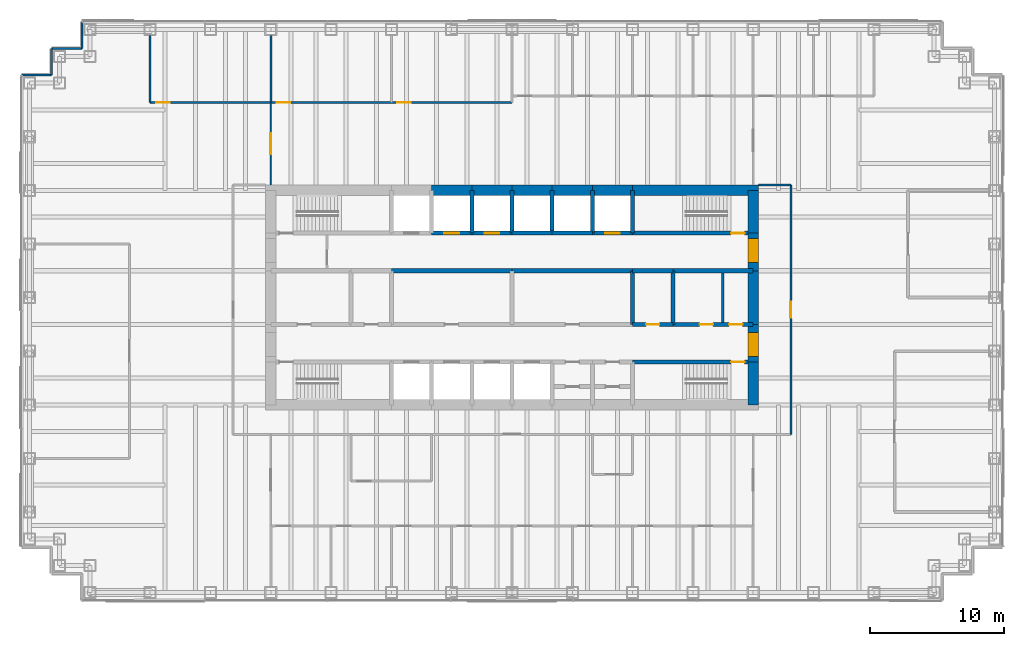
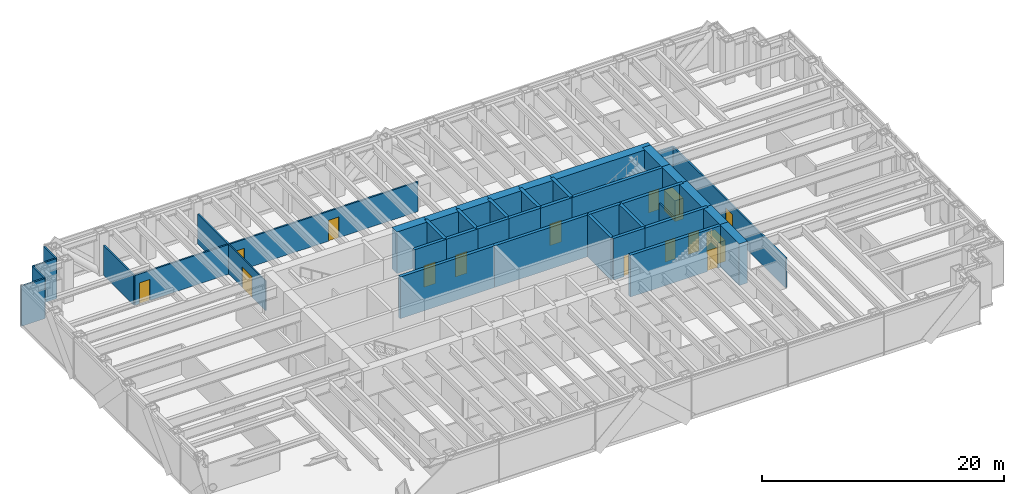
# One storey, part 12 of 14: 42 walls, 15 doors, 15 openings.
"""IFC4 building model written with IfcOpenShell, lengths in metres."""

from ifc_helpers import new_model, si_unit, direction, frame, frame_2d, origin, place, context, subcontext, project, spatial, rectangle, extrude, material, layer, layer_set, type_object, element, fill, save


model = new_model("IFC4")

# Units and contexts
model_context = context("Model", 3, precision=1e-05, world=origin(), true_north=direction((0.0, 1.0)))
body_context = subcontext(model_context, "Body", "Model", "MODEL_VIEW")
ifc_project = project(units=[si_unit("LENGTHUNIT", "METRE"), si_unit("AREAUNIT", "SQUARE_METRE"), si_unit("VOLUMEUNIT", "CUBIC_METRE"), si_unit("PLANEANGLEUNIT", "RADIAN"), si_unit("MASSUNIT", "GRAM", prefix="KILO")], contexts=[model_context])

# Site, building, storey
site_placement = place(None, origin())
site = spatial("IfcSite", under=ifc_project, at=site_placement, CompositionType="ELEMENT")
building_placement = place(site_placement, origin())
building = spatial("IfcBuilding", under=site, at=building_placement, Name="Rheinbord Bourse Tower", CompositionType="ELEMENT")
storey_placement = place(building_placement, frame((0.0, 0.0, 211.0)))
storey = spatial("IfcBuildingStorey", under=building, at=storey_placement, Name="L47", CompositionType="ELEMENT", Elevation=211.0)

# Wall, opening, door
ifc_material_1 = material(Name="Concrete C50/60", Category="concrete")
ifc_layer_1 = layer(ifc_material_1, 0.300048828125)
ifc_layer_set_1 = layer_set([ifc_layer_1], Name="CORE INNER WALL 300")
wall_type_1 = type_object("IfcWallType", Name="CORE INNER WALL 300", PredefinedType="SOLIDWALL", material=ifc_layer_set_1)
wall_1_placement = place(storey_placement, frame((45.0, 19.199951171875, 0.0), z_axis=(0.0, 0.0, 1.0), x_axis=(1.0, 0.0, 0.0)))
wall_1 = element("IfcWall", 1, at=wall_1_placement, inside=storey, type_object=wall_type_1, Name="Core wall A8 L47", PredefinedType="SOLIDWALL", context=body_context, shape_type="SweptSolid", body=[
    extrude(rectangle(XDim=9.0, YDim=0.300048828125, at=frame_2d((4.5, 0.0))), origin(), (0.0, 0.0, 1.0), 4.199951171875),
])
opening_1_placement = place(wall_1_placement, frame((7.35009765625, 0.0, 0.0)))
opening_1 = element("IfcOpeningElement", 2, at=opening_1_placement, cuts=wall_1, Name="Opening 4730", PredefinedType="OPENING", context=body_context, shape_type="SweptSolid", body=[
    extrude(rectangle(XDim=1.0, YDim=2.10009765625, at=frame_2d((0.5, 1.050048828125))), frame((0.0, 0.159912109375, 0.0), z_axis=(0.0, -1.0, 0.0), x_axis=(1.0, 0.0, 0.0)), (0.0, 0.0, 1.0), 0.320068359375),
])
ifc_material_2 = material(Name="Steel door", Category="steel")
door_type_1 = type_object("IfcDoorType", Name="DOOR 1000 EI30", OperationType="SINGLE_SWING_LEFT", PredefinedType="DOOR", material=ifc_material_2)
door_1_placement = place(opening_1_placement, origin())
door_1 = element("IfcDoor", 3, at=door_1_placement, inside=storey, type_object=door_type_1, Name="Stair door ST3 L47", OperationType="SINGLE_SWING_RIGHT", OverallHeight=2.10009765625, OverallWidth=1.0, PredefinedType="DOOR", context=body_context, shape_type="SweptSolid", body=[
    extrude(rectangle(XDim=1.0, YDim=2.10009765625, at=frame_2d((0.5, 1.050048828125))), frame((0.0, 0.02490234375, 0.0), z_axis=(0.0, -1.0, 0.0), x_axis=(1.0, 0.0, 0.0)), (0.0, 0.0, 1.0), 0.050048828125),
])
fill(opening_1, door_1)

wall_2_placement = place(storey_placement, frame((30.0, 28.800048828125, 0.0), z_axis=(0.0, 0.0, 1.0), x_axis=(1.0, 0.0, 0.0)))
wall_2 = element("IfcWall", 4, at=wall_2_placement, inside=storey, type_object=wall_type_1, Name="Core wall B3 L47", PredefinedType="SOLIDWALL", context=body_context, shape_type="SweptSolid", body=[
    extrude(rectangle(XDim=3.0, YDim=0.300048828125, at=frame_2d((1.5, 0.0))), origin(), (0.0, 0.0, 1.0), 4.199951171875),
])
opening_2_placement = place(wall_2_placement, frame((0.949951171875, 0.0, 0.0)))
opening_2 = element("IfcOpeningElement", 5, at=opening_2_placement, cuts=wall_2, Name="Opening PC4", PredefinedType="OPENING", context=body_context, shape_type="SweptSolid", body=[
    extrude(rectangle(XDim=1.10009765625, YDim=2.199951171875, at=frame_2d((0.550048828125, 1.10009765625))), frame((0.0, 0.159912109375, 0.0), z_axis=(0.0, -1.0, 0.0), x_axis=(1.0, 0.0, 0.0)), (0.0, 0.0, 1.0), 0.320068359375),
])
ifc_material_3 = material(Name="Steel landing door", Category="steel")
door_type_2 = type_object("IfcDoorType", Name="LIFT LANDING DOOR 1100", OperationType="DOUBLE_DOOR_SLIDING", PredefinedType="USERDEFINED", material=ifc_material_3)
door_2_placement = place(opening_2_placement, origin())
door_2 = element("IfcDoor", 6, at=door_2_placement, inside=storey, type_object=door_type_2, Name="Lift landing door PC4 L47", ObjectType="LIFT LANDING DOOR", OperationType="DOUBLE_DOOR_SLIDING", OverallHeight=2.199951171875, OverallWidth=1.10009765625, PredefinedType="USERDEFINED", context=body_context, shape_type="SweptSolid", body=[
    extrude(rectangle(XDim=1.10009765625, YDim=2.199951171875, at=frame_2d((0.550048828125, 1.10009765625))), frame((0.0, 0.02490234375, 0.0), z_axis=(0.0, -1.0, 0.0), x_axis=(1.0, 0.0, 0.0)), (0.0, 0.0, 1.0), 0.050048828125),
])
fill(opening_2, door_2)

wall_3_placement = place(storey_placement, frame((33.0, 28.800048828125, 0.0), z_axis=(0.0, 0.0, 1.0), x_axis=(1.0, 0.0, 0.0)))
wall_3 = element("IfcWall", 7, at=wall_3_placement, inside=storey, type_object=wall_type_1, Name="Core wall B4 L47", PredefinedType="SOLIDWALL", context=body_context, shape_type="SweptSolid", body=[
    extrude(rectangle(XDim=3.0, YDim=0.300048828125, at=frame_2d((1.5, 0.0))), origin(), (0.0, 0.0, 1.0), 4.199951171875),
])
opening_3_placement = place(wall_3_placement, frame((0.949951171875, 0.0, 0.0)))
opening_3 = element("IfcOpeningElement", 8, at=opening_3_placement, cuts=wall_3, Name="Opening PC5", PredefinedType="OPENING", context=body_context, shape_type="SweptSolid", body=[
    extrude(rectangle(XDim=1.10009765625, YDim=2.199951171875, at=frame_2d((0.550048828125, 1.10009765625))), frame((0.0, 0.159912109375, 0.0), z_axis=(0.0, -1.0, 0.0), x_axis=(1.0, 0.0, 0.0)), (0.0, 0.0, 1.0), 0.320068359375),
])
door_3_placement = place(opening_3_placement, origin())
door_3 = element("IfcDoor", 9, at=door_3_placement, inside=storey, type_object=door_type_2, Name="Lift landing door PC5 L47", ObjectType="LIFT LANDING DOOR", OperationType="DOUBLE_DOOR_SLIDING", OverallHeight=2.199951171875, OverallWidth=1.10009765625, PredefinedType="USERDEFINED", context=body_context, shape_type="SweptSolid", body=[
    extrude(rectangle(XDim=1.10009765625, YDim=2.199951171875, at=frame_2d((0.550048828125, 1.10009765625))), frame((0.0, 0.02490234375, 0.0), z_axis=(0.0, -1.0, 0.0), x_axis=(1.0, 0.0, 0.0)), (0.0, 0.0, 1.0), 0.050048828125),
])
fill(opening_3, door_3)

# Walls
for number, where, z_axis, x_axis, name in (
    (10, (36.0, 28.800048828125, 0.0), (0.0, 0.0, 1.0), (1.0, 0.0, 0.0), "Core wall B5 L47"),
    (11, (39.0, 28.800048828125, 0.0), (0.0, 0.0, 1.0), (1.0, 0.0, 0.0), "Core wall B6 L47"),
):
    element("IfcWall", number, at=place(storey_placement, frame(where, z_axis=z_axis, x_axis=x_axis)), inside=storey, type_object=wall_type_1, Name=name, PredefinedType="SOLIDWALL", context=body_context, shape_type="SweptSolid", body=[
        extrude(rectangle(XDim=3.0, YDim=0.300048828125, at=frame_2d((1.5, 0.0))), origin(), (0.0, 0.0, 1.0), 4.199951171875),
    ])

# Wall, opening, door
wall_4_placement = place(storey_placement, frame((42.0, 28.800048828125, 0.0), z_axis=(0.0, 0.0, 1.0), x_axis=(1.0, 0.0, 0.0)))
wall_4 = element("IfcWall", 12, at=wall_4_placement, inside=storey, type_object=wall_type_1, Name="Core wall B7 L47", PredefinedType="SOLIDWALL", context=body_context, shape_type="SweptSolid", body=[
    extrude(rectangle(XDim=3.0, YDim=0.300048828125, at=frame_2d((1.5, 0.0))), origin(), (0.0, 0.0, 1.0), 4.199951171875),
])
opening_4_placement = place(wall_4_placement, frame((0.949951171875, 0.0, 0.0)))
opening_4 = element("IfcOpeningElement", 13, at=opening_4_placement, cuts=wall_4, Name="Opening FL2", PredefinedType="OPENING", context=body_context, shape_type="SweptSolid", body=[
    extrude(rectangle(XDim=1.10009765625, YDim=2.199951171875, at=frame_2d((0.550048828125, 1.10009765625))), frame((0.0, 0.159912109375, 0.0), z_axis=(0.0, -1.0, 0.0), x_axis=(1.0, 0.0, 0.0)), (0.0, 0.0, 1.0), 0.320068359375),
])
door_4_placement = place(opening_4_placement, origin())
door_4 = element("IfcDoor", 14, at=door_4_placement, inside=storey, type_object=door_type_2, Name="Lift landing door FL2 L47", ObjectType="LIFT LANDING DOOR", OperationType="DOUBLE_DOOR_SLIDING", OverallHeight=2.199951171875, OverallWidth=1.10009765625, PredefinedType="USERDEFINED", context=body_context, shape_type="SweptSolid", body=[
    extrude(rectangle(XDim=1.10009765625, YDim=2.199951171875, at=frame_2d((0.550048828125, 1.10009765625))), frame((0.0, 0.02490234375, 0.0), z_axis=(0.0, -1.0, 0.0), x_axis=(1.0, 0.0, 0.0)), (0.0, 0.0, 1.0), 0.050048828125),
])
fill(opening_4, door_4)

wall_5_placement = place(storey_placement, frame((45.0, 28.800048828125, 0.0), z_axis=(0.0, 0.0, 1.0), x_axis=(1.0, 0.0, 0.0)))
wall_5 = element("IfcWall", 15, at=wall_5_placement, inside=storey, type_object=wall_type_1, Name="Core wall B8 L47", PredefinedType="SOLIDWALL", context=body_context, shape_type="SweptSolid", body=[
    extrude(rectangle(XDim=9.0, YDim=0.300048828125, at=frame_2d((4.5, 0.0))), origin(), (0.0, 0.0, 1.0), 4.199951171875),
])
opening_5_placement = place(wall_5_placement, frame((7.35009765625, 0.0, 0.0)))
opening_5 = element("IfcOpeningElement", 16, at=opening_5_placement, cuts=wall_5, Name="Opening 4740", PredefinedType="OPENING", context=body_context, shape_type="SweptSolid", body=[
    extrude(rectangle(XDim=1.0, YDim=2.10009765625, at=frame_2d((0.5, 1.050048828125))), frame((0.0, 0.159912109375, 0.0), z_axis=(0.0, -1.0, 0.0), x_axis=(1.0, 0.0, 0.0)), (0.0, 0.0, 1.0), 0.320068359375),
])
door_5_placement = place(opening_5_placement, origin())
door_5 = element("IfcDoor", 17, at=door_5_placement, inside=storey, type_object=door_type_1, Name="Stair door ST4 L47", OperationType="SINGLE_SWING_RIGHT", OverallHeight=2.10009765625, OverallWidth=1.0, PredefinedType="DOOR", context=body_context, shape_type="SweptSolid", body=[
    extrude(rectangle(XDim=1.0, YDim=2.10009765625, at=frame_2d((0.5, 1.050048828125))), frame((0.0, 0.02490234375, 0.0), z_axis=(0.0, -1.0, 0.0), x_axis=(1.0, 0.0, 0.0)), (0.0, 0.0, 1.0), 0.050048828125),
])
fill(opening_5, door_5)

wall_6_placement = place(storey_placement, frame((45.0, 22.0, 0.0), z_axis=(0.0, 0.0, 1.0), x_axis=(1.0, 0.0, 0.0)))
wall_6 = element("IfcWall", 18, at=wall_6_placement, inside=storey, type_object=wall_type_1, Name="Core wall C5 L47", PredefinedType="SOLIDWALL", context=body_context, shape_type="SweptSolid", body=[
    extrude(rectangle(XDim=3.0, YDim=0.300048828125, at=frame_2d((1.5, 0.0))), origin(), (0.0, 0.0, 1.0), 4.199951171875),
])
opening_6_placement = place(wall_6_placement, frame((1.0, 0.0, 0.0)))
opening_6 = element("IfcOpeningElement", 19, at=opening_6_placement, cuts=wall_6, Name="Opening 47R5", PredefinedType="OPENING", context=body_context, shape_type="SweptSolid", body=[
    extrude(rectangle(XDim=1.0, YDim=2.10009765625, at=frame_2d((0.5, 1.050048828125))), frame((0.0, 0.159912109375, 0.0), z_axis=(0.0, -1.0, 0.0), x_axis=(1.0, 0.0, 0.0)), (0.0, 0.0, 1.0), 0.320068359375),
])
ifc_material_4 = material(Name="Timber door", Category="wood")
door_type_3 = type_object("IfcDoorType", Name="DOOR 1000 WC", OperationType="SINGLE_SWING_LEFT", PredefinedType="DOOR", material=ifc_material_4)
door_6_placement = place(opening_6_placement, origin())
door_6 = element("IfcDoor", 20, at=door_6_placement, inside=storey, type_object=door_type_3, Name="Accessible WC door L47", OperationType="SINGLE_SWING_LEFT", OverallHeight=2.10009765625, OverallWidth=1.0, PredefinedType="DOOR", context=body_context, shape_type="SweptSolid", body=[
    extrude(rectangle(XDim=1.0, YDim=2.10009765625, at=frame_2d((0.5, 1.050048828125))), frame((0.0, 0.02490234375, 0.0), z_axis=(0.0, -1.0, 0.0), x_axis=(1.0, 0.0, 0.0)), (0.0, 0.0, 1.0), 0.050048828125),
])
fill(opening_6, door_6)

# Wall, openings, doors
wall_7_placement = place(storey_placement, frame((48.0, 22.0, 0.0), z_axis=(0.0, 0.0, 1.0), x_axis=(1.0, 0.0, 0.0)))
wall_7 = element("IfcWall", 21, at=wall_7_placement, inside=storey, type_object=wall_type_1, Name="Core wall C6 L47", PredefinedType="SOLIDWALL", context=body_context, shape_type="SweptSolid", body=[
    extrude(rectangle(XDim=6.0, YDim=0.300048828125, at=frame_2d((3.0, 0.0))), origin(), (0.0, 0.0, 1.0), 4.199951171875),
])
opening_7_placement = place(wall_7_placement, frame((2.0, 0.0, 0.0)))
opening_7 = element("IfcOpeningElement", 22, at=opening_7_placement, cuts=wall_7, Name="Opening 47R6", PredefinedType="OPENING", context=body_context, shape_type="SweptSolid", body=[
    extrude(rectangle(XDim=1.0, YDim=2.10009765625, at=frame_2d((0.5, 1.050048828125))), frame((0.0, 0.159912109375, 0.0), z_axis=(0.0, -1.0, 0.0), x_axis=(1.0, 0.0, 0.0)), (0.0, 0.0, 1.0), 0.320068359375),
])
opening_8_placement = place(wall_7_placement, frame((4.199951171875, 0.0, 0.0)))
opening_8 = element("IfcOpeningElement", 23, at=opening_8_placement, cuts=wall_7, Name="Opening 47R10", PredefinedType="OPENING", context=body_context, shape_type="SweptSolid", body=[
    extrude(rectangle(XDim=1.0, YDim=2.10009765625, at=frame_2d((0.5, 1.050048828125))), frame((0.0, 0.159912109375, 0.0), z_axis=(0.0, -1.0, 0.0), x_axis=(1.0, 0.0, 0.0)), (0.0, 0.0, 1.0), 0.320068359375),
])
door_7_placement = place(opening_8_placement, origin())
door_7 = element("IfcDoor", 24, at=door_7_placement, inside=storey, type_object=door_type_1, Name="Baby change door L47", OperationType="SINGLE_SWING_RIGHT", OverallHeight=2.10009765625, OverallWidth=1.0, PredefinedType="DOOR", context=body_context, shape_type="SweptSolid", body=[
    extrude(rectangle(XDim=1.0, YDim=2.10009765625, at=frame_2d((0.5, 1.050048828125))), frame((0.0, 0.02490234375, 0.0), z_axis=(0.0, -1.0, 0.0), x_axis=(1.0, 0.0, 0.0)), (0.0, 0.0, 1.0), 0.050048828125),
])
fill(opening_8, door_7)
door_8_placement = place(opening_7_placement, origin())
door_8 = element("IfcDoor", 25, at=door_8_placement, inside=storey, type_object=door_type_3, Name="WC women door L47", OperationType="SINGLE_SWING_LEFT", OverallHeight=2.10009765625, OverallWidth=1.0, PredefinedType="DOOR", context=body_context, shape_type="SweptSolid", body=[
    extrude(rectangle(XDim=1.0, YDim=2.10009765625, at=frame_2d((0.5, 1.050048828125))), frame((0.0, 0.02490234375, 0.0), z_axis=(0.0, -1.0, 0.0), x_axis=(1.0, 0.0, 0.0)), (0.0, 0.0, 1.0), 0.050048828125),
])
fill(opening_7, door_8)

# Walls
for number, where, z_axis, x_axis, name in (
    (26, (27.0, 26.0, 0.0), (0.0, 0.0, 1.0), (1.0, 0.0, 0.0), "Core wall D3 L47"),
    (27, (36.0, 26.0, 0.0), (0.0, 0.0, 1.0), (1.0, 0.0, 0.0), "Core wall D4 L47"),
):
    element("IfcWall", number, at=place(storey_placement, frame(where, z_axis=z_axis, x_axis=x_axis)), inside=storey, type_object=wall_type_1, Name=name, PredefinedType="SOLIDWALL", context=body_context, shape_type="SweptSolid", body=[
        extrude(rectangle(XDim=9.0, YDim=0.300048828125, at=frame_2d((4.5, 0.0))), origin(), (0.0, 0.0, 1.0), 4.199951171875),
    ])
wall_8_placement = place(storey_placement, frame((45.0, 26.0, 0.0), z_axis=(0.0, 0.0, 1.0), x_axis=(1.0, 0.0, 0.0)))
element("IfcWall", 28, at=wall_8_placement, inside=storey, type_object=wall_type_1, Name="Core wall D5 L47", PredefinedType="SOLIDWALL", context=body_context, shape_type="SweptSolid", body=[
    extrude(rectangle(XDim=3.0, YDim=0.300048828125, at=frame_2d((1.5, 0.0))), origin(), (0.0, 0.0, 1.0), 4.199951171875),
])
wall_9_placement = place(storey_placement, frame((48.0, 26.0, 0.0), z_axis=(0.0, 0.0, 1.0), x_axis=(1.0, 0.0, 0.0)))
element("IfcWall", 29, at=wall_9_placement, inside=storey, type_object=wall_type_1, Name="Core wall D6 L47", PredefinedType="SOLIDWALL", context=body_context, shape_type="SweptSolid", body=[
    extrude(rectangle(XDim=6.0, YDim=0.300048828125, at=frame_2d((3.0, 0.0))), origin(), (0.0, 0.0, 1.0), 4.199951171875),
])
for number, where, z_axis, x_axis, name in (
    (30, (33.0, 28.800048828125, 0.0), (0.0, 0.0, 1.0), (0.0, 1.0, 0.0), "Core wall NX33 L47"),
    (31, (36.0, 28.800048828125, 0.0), (0.0, 0.0, 1.0), (0.0, 1.0, 0.0), "Core wall NX36 L47"),
    (32, (39.0, 28.800048828125, 0.0), (0.0, 0.0, 1.0), (0.0, 1.0, 0.0), "Core wall NX39 L47"),
    (33, (42.0, 28.800048828125, 0.0), (0.0, 0.0, 1.0), (0.0, 1.0, 0.0), "Core wall NX42 L47"),
    (34, (45.0, 28.800048828125, 0.0), (0.0, 0.0, 1.0), (0.0, 1.0, 0.0), "Core wall NX45 L47"),
):
    element("IfcWall", number, at=place(storey_placement, frame(where, z_axis=z_axis, x_axis=x_axis)), inside=storey, type_object=wall_type_1, Name=name, PredefinedType="SOLIDWALL", context=body_context, shape_type="SweptSolid", body=[
        extrude(rectangle(XDim=3.199951171875, YDim=0.300048828125, at=frame_2d((1.60009765625, 0.0))), origin(), (0.0, 0.0, 1.0), 4.199951171875),
    ])
for number, where, z_axis, x_axis, name in (
    (35, (45.0, 22.0, 0.0), (0.0, 0.0, 1.0), (0.0, 1.0, 0.0), "Core wall MX45 L47"),
    (36, (48.0, 22.0, 0.0), (0.0, 0.0, 1.0), (0.0, 1.0, 0.0), "Core wall MX48 L47"),
):
    element("IfcWall", number, at=place(storey_placement, frame(where, z_axis=z_axis, x_axis=x_axis)), inside=storey, type_object=wall_type_1, Name=name, PredefinedType="SOLIDWALL", context=body_context, shape_type="SweptSolid", body=[
        extrude(rectangle(XDim=4.0, YDim=0.300048828125, at=frame_2d((2.0, 0.0))), origin(), (0.0, 0.0, 1.0), 4.199951171875),
    ])
ifc_material_5 = material(Name="Gypsum board fire partition", Category="gypsum board")
ifc_layer_2 = layer(ifc_material_5, 0.14990234375)
ifc_layer_set_2 = layer_set([ifc_layer_2], Name="CORE PARTITION 150 EI30")
wall_type_2 = type_object("IfcWallType", Name="CORE PARTITION 150 EI30", PredefinedType="PARTITIONING", material=ifc_layer_set_2)
wall_10_placement = place(storey_placement, frame((51.72509765625, 22.14990234375, 0.0), z_axis=(0.0, 0.0, 1.0), x_axis=(0.0, 1.0, 0.0)))
element("IfcWall", 37, at=wall_10_placement, inside=storey, type_object=wall_type_2, Name="Core partition L47-3", PredefinedType="PARTITIONING", context=body_context, shape_type="SweptSolid", body=[
    extrude(rectangle(XDim=3.7001953125, YDim=0.14990234375, at=frame_2d((1.85009765625, 0.0))), origin(), (0.0, 0.0, 1.0), 3.0),
])
ifc_material_6 = material(Name="Concrete C50/60", Category="concrete")
ifc_layer_3 = layer(ifc_material_6, 0.800048828125)
ifc_layer_set_3 = layer_set([ifc_layer_3], Name="CORE WALL 800")
wall_type_3 = type_object("IfcWallType", Name="CORE WALL 800", PredefinedType="SHEAR", material=ifc_layer_set_3)
wall_11_placement = place(storey_placement, frame((54.39990234375, 32.0, 0.0), z_axis=(0.0, 0.0, 1.0), x_axis=(-1.0, 0.0, 0.0)))
element("IfcWall", 38, at=wall_11_placement, inside=storey, type_object=wall_type_3, Name="Core wall N1 L47", PredefinedType="SHEAR", context=body_context, shape_type="SweptSolid", body=[
    extrude(rectangle(XDim=9.39990234375, YDim=0.800048828125, at=frame_2d((4.699951171875, 0.0))), origin(), (0.0, 0.0, 1.0), 4.199951171875),
])
for number, where, z_axis, x_axis, name in (
    (39, (45.0, 32.0, 0.0), (0.0, 0.0, 1.0), (-1.0, 0.0, 0.0), "Core wall N2 L47"),
    (40, (42.0, 32.0, 0.0), (0.0, 0.0, 1.0), (-1.0, 0.0, 0.0), "Core wall N3 L47"),
    (41, (39.0, 32.0, 0.0), (0.0, 0.0, 1.0), (-1.0, 0.0, 0.0), "Core wall N4 L47"),
    (42, (36.0, 32.0, 0.0), (0.0, 0.0, 1.0), (-1.0, 0.0, 0.0), "Core wall N5 L47"),
    (43, (33.0, 32.0, 0.0), (0.0, 0.0, 1.0), (-1.0, 0.0, 0.0), "Core wall N6 L47"),
):
    element("IfcWall", number, at=place(storey_placement, frame(where, z_axis=z_axis, x_axis=x_axis)), inside=storey, type_object=wall_type_3, Name=name, PredefinedType="SHEAR", context=body_context, shape_type="SweptSolid", body=[
        extrude(rectangle(XDim=3.0, YDim=0.800048828125, at=frame_2d((1.5, 0.0))), origin(), (0.0, 0.0, 1.0), 4.199951171875),
    ])
wall_12_placement = place(storey_placement, frame((54.0, 16.0, 0.0), z_axis=(0.0, 0.0, 1.0), x_axis=(0.0, 1.0, 0.0)))
element("IfcWall", 44, at=wall_12_placement, inside=storey, type_object=wall_type_3, Name="Core wall E1 L47", PredefinedType="SHEAR", context=body_context, shape_type="SweptSolid", body=[
    extrude(rectangle(XDim=3.199951171875, YDim=0.800048828125, at=frame_2d((1.60009765625, 0.0))), origin(), (0.0, 0.0, 1.0), 4.199951171875),
])

# Wall, opening, door
wall_13_placement = place(storey_placement, frame((54.0, 19.199951171875, 0.0), z_axis=(0.0, 0.0, 1.0), x_axis=(0.0, 1.0, 0.0)))
wall_13 = element("IfcWall", 45, at=wall_13_placement, inside=storey, type_object=wall_type_3, Name="Core wall E2 L47", PredefinedType="SHEAR", context=body_context, shape_type="SweptSolid", body=[
    extrude(rectangle(XDim=2.800048828125, YDim=0.800048828125, at=frame_2d((1.39990234375, 0.0))), origin(), (0.0, 0.0, 1.0), 4.199951171875),
])
opening_9_placement = place(wall_13_placement, frame((0.39990234375, 0.0, 0.0)))
opening_9 = element("IfcOpeningElement", 46, at=opening_9_placement, cuts=wall_13, Name="Opening 47L3", PredefinedType="OPENING", context=body_context, shape_type="SweptSolid", body=[
    extrude(rectangle(XDim=1.800048828125, YDim=2.10009765625, at=frame_2d((0.89990234375, 1.050048828125))), frame((0.0, 0.409912109375, 0.0), z_axis=(0.0, -1.0, 0.0), x_axis=(1.0, 0.0, 0.0)), (0.0, 0.0, 1.0), 0.820068359375),
])
ifc_material_7 = material(Name="Steel door", Category="steel")
door_type_4 = type_object("IfcDoorType", Name="DOOR 1800 EI30 DOUBLE", OperationType="DOUBLE_DOOR_DOUBLE_SWING", PredefinedType="DOOR", material=ifc_material_7)
door_9_placement = place(opening_9_placement, origin())
door_9 = element("IfcDoor", 47, at=door_9_placement, inside=storey, type_object=door_type_4, Name="Lobby door 3 L47", OperationType="SINGLE_SWING_LEFT", OverallHeight=2.10009765625, OverallWidth=1.800048828125, PredefinedType="DOOR", context=body_context, shape_type="SweptSolid", body=[
    extrude(rectangle(XDim=1.800048828125, YDim=2.10009765625, at=frame_2d((0.89990234375, 1.050048828125))), frame((0.0, 0.39990234375, 0.0), z_axis=(0.0, -1.0, 0.0), x_axis=(1.0, 0.0, 0.0)), (0.0, 0.0, 1.0), 0.799560546875),
])
fill(opening_9, door_9)

# Wall
wall_14_placement = place(storey_placement, frame((54.0, 22.0, 0.0), z_axis=(0.0, 0.0, 1.0), x_axis=(0.0, 1.0, 0.0)))
element("IfcWall", 48, at=wall_14_placement, inside=storey, type_object=wall_type_3, Name="Core wall E3 L47", PredefinedType="SHEAR", context=body_context, shape_type="SweptSolid", body=[
    extrude(rectangle(XDim=4.0, YDim=0.800048828125, at=frame_2d((2.0, 0.0))), origin(), (0.0, 0.0, 1.0), 4.199951171875),
])

# Wall, opening, door
wall_15_placement = place(storey_placement, frame((54.0, 26.0, 0.0), z_axis=(0.0, 0.0, 1.0), x_axis=(0.0, 1.0, 0.0)))
wall_15 = element("IfcWall", 49, at=wall_15_placement, inside=storey, type_object=wall_type_3, Name="Core wall E4 L47", PredefinedType="SHEAR", context=body_context, shape_type="SweptSolid", body=[
    extrude(rectangle(XDim=2.800048828125, YDim=0.800048828125, at=frame_2d((1.39990234375, 0.0))), origin(), (0.0, 0.0, 1.0), 4.199951171875),
])
opening_10_placement = place(wall_15_placement, frame((0.60009765625, 0.0, 0.0)))
opening_10 = element("IfcOpeningElement", 50, at=opening_10_placement, cuts=wall_15, Name="Opening 47L4", PredefinedType="OPENING", context=body_context, shape_type="SweptSolid", body=[
    extrude(rectangle(XDim=1.800048828125, YDim=2.10009765625, at=frame_2d((0.89990234375, 1.050048828125))), frame((0.0, 0.409912109375, 0.0), z_axis=(0.0, -1.0, 0.0), x_axis=(1.0, 0.0, 0.0)), (0.0, 0.0, 1.0), 0.820068359375),
])
door_10_placement = place(opening_10_placement, origin())
door_10 = element("IfcDoor", 51, at=door_10_placement, inside=storey, type_object=door_type_4, Name="Lobby door 4 L47", OperationType="SINGLE_SWING_LEFT", OverallHeight=2.10009765625, OverallWidth=1.800048828125, PredefinedType="DOOR", context=body_context, shape_type="SweptSolid", body=[
    extrude(rectangle(XDim=1.800048828125, YDim=2.10009765625, at=frame_2d((0.89990234375, 1.050048828125))), frame((0.0, 0.39990234375, 0.0), z_axis=(0.0, -1.0, 0.0), x_axis=(1.0, 0.0, 0.0)), (0.0, 0.0, 1.0), 0.799560546875),
])
fill(opening_10, door_10)

# Walls
wall_16_placement = place(storey_placement, frame((54.0, 28.800048828125, 0.0), z_axis=(0.0, 0.0, 1.0), x_axis=(0.0, 1.0, 0.0)))
element("IfcWall", 52, at=wall_16_placement, inside=storey, type_object=wall_type_3, Name="Core wall E5 L47", PredefinedType="SHEAR", context=body_context, shape_type="SweptSolid", body=[
    extrude(rectangle(XDim=3.199951171875, YDim=0.800048828125, at=frame_2d((1.60009765625, 0.0))), origin(), (0.0, 0.0, 1.0), 4.199951171875),
])
ifc_material_8 = material(Name="Black metal rainscreen panel", Category="aluminium")
ifc_layer_4 = layer(ifc_material_8, 0.14990234375)
ifc_layer_set_4 = layer_set([ifc_layer_4], Name="CORNER PIER CLADDING 150")
wall_type_4 = type_object("IfcWallType", Name="CORNER PIER CLADDING 150", PredefinedType="ELEMENTEDWALL", material=ifc_layer_set_4)
wall_17_placement = place(storey_placement, frame((3.89990234375, 44.60009765625, 0.0), z_axis=(0.0, 0.0, 1.0), x_axis=(0.0, -1.0, 0.0)))
element("IfcWall", 53, at=wall_17_placement, inside=storey, type_object=wall_type_4, Name="Corner pier cladding L47 12", PredefinedType="ELEMENTEDWALL", context=body_context, shape_type="SweptSolid", body=[
    extrude(rectangle(XDim=2.0, YDim=0.14990234375, at=frame_2d((1.0, 0.0))), origin(), (0.0, 0.0, 1.0), 4.0400390625),
])
wall_18_placement = place(storey_placement, frame((3.89990234375, 42.60009765625, 0.0), z_axis=(0.0, 0.0, 1.0), x_axis=(-1.0, 0.0, 0.0)))
element("IfcWall", 54, at=wall_18_placement, inside=storey, type_object=wall_type_4, Name="Corner pier cladding L47 13", PredefinedType="ELEMENTEDWALL", context=body_context, shape_type="SweptSolid", body=[
    extrude(rectangle(XDim=2.25, YDim=0.14990234375, at=frame_2d((1.125, 0.0))), origin(), (0.0, 0.0, 1.0), 4.0400390625),
])
wall_19_placement = place(storey_placement, frame((1.64990234375, 42.60009765625, 0.0), z_axis=(0.0, 0.0, 1.0), x_axis=(0.0, -1.0, 0.0)))
element("IfcWall", 55, at=wall_19_placement, inside=storey, type_object=wall_type_4, Name="Corner pier cladding L47 14", PredefinedType="ELEMENTEDWALL", context=body_context, shape_type="SweptSolid", body=[
    extrude(rectangle(XDim=2.0, YDim=0.14990234375, at=frame_2d((1.0, 0.0))), origin(), (0.0, 0.0, 1.0), 4.0400390625),
])
wall_20_placement = place(storey_placement, frame((1.64990234375, 40.60009765625, 0.0), z_axis=(0.0, 0.0, 1.0), x_axis=(-1.0, 0.0, 0.0)))
element("IfcWall", 56, at=wall_20_placement, inside=storey, type_object=wall_type_4, Name="Corner pier cladding L47 15", PredefinedType="ELEMENTEDWALL", context=body_context, shape_type="SweptSolid", body=[
    extrude(rectangle(XDim=2.25, YDim=0.14990234375, at=frame_2d((1.125, 0.0))), origin(), (0.0, 0.0, 1.0), 4.0400390625),
])
ifc_material_9 = material(Name="Gypsum board corridor partition", Category="gypsum board")
ifc_layer_5 = layer(ifc_material_9, 0.14990234375)
ifc_layer_set_5 = layer_set([ifc_layer_5], Name="CORRIDOR PARTITION 150 EI30")
wall_type_5 = type_object("IfcWallType", Name="CORRIDOR PARTITION 150 EI30", PredefinedType="PARTITIONING", material=ifc_layer_set_5)
wall_21_placement = place(storey_placement, frame((54.39990234375, 32.39990234375, 0.0), z_axis=(0.0, 0.0, 1.0), x_axis=(1.0, 0.0, 0.0)))
element("IfcWall", 57, at=wall_21_placement, inside=storey, type_object=wall_type_5, Name="Partition L47-14", PredefinedType="PARTITIONING", context=body_context, shape_type="SweptSolid", body=[
    extrude(rectangle(XDim=2.400146484375, YDim=0.14990234375, at=frame_2d((1.2001953125, 0.0))), origin(), (0.0, 0.0, 1.0), 3.0),
])

# Wall, opening, door
wall_22_placement = place(storey_placement, frame((56.800048828125, 13.800048828125, 0.0), z_axis=(0.0, 0.0, 1.0), x_axis=(0.0, 1.0, 0.0)))
wall_22 = element("IfcWall", 58, at=wall_22_placement, inside=storey, type_object=wall_type_5, Name="Partition L47-44", PredefinedType="PARTITIONING", context=body_context, shape_type="SweptSolid", body=[
    extrude(rectangle(XDim=18.599853515625, YDim=0.14990234375, at=frame_2d((9.2998046875, 0.0))), origin(), (0.0, 0.0, 1.0), 3.0),
])
opening_11_placement = place(wall_22_placement, frame((8.699951171875, 0.0, 0.0)))
opening_11 = element("IfcOpeningElement", 59, at=opening_11_placement, cuts=wall_22, Name="Opening 47D28", PredefinedType="OPENING", context=body_context, shape_type="SweptSolid", body=[
    extrude(rectangle(XDim=1.199951171875, YDim=2.10009765625, at=frame_2d((0.60009765625, 1.050048828125))), frame((0.0, 0.0849609375, 0.0), z_axis=(0.0, -1.0, 0.0), x_axis=(1.0, 0.0, 0.0)), (0.0, 0.0, 1.0), 0.169921875),
])
ifc_material_10 = material(Name="Timber fire door", Category="wood")
door_type_5 = type_object("IfcDoorType", Name="SUITE ENTRANCE DOOR 1200 EI30", OperationType="SINGLE_SWING_LEFT", PredefinedType="DOOR", material=ifc_material_10)
door_11_placement = place(opening_11_placement, origin())
door_11 = element("IfcDoor", 60, at=door_11_placement, inside=storey, type_object=door_type_5, Name="Suite entrance 2 door L47", OperationType="SINGLE_SWING_LEFT", OverallHeight=2.10009765625, OverallWidth=1.199951171875, PredefinedType="DOOR", context=body_context, shape_type="SweptSolid", body=[
    extrude(rectangle(XDim=1.199951171875, YDim=2.10009765625, at=frame_2d((0.60009765625, 1.050048828125))), frame((0.0, 0.02490234375, 0.0), z_axis=(0.0, -1.0, 0.0), x_axis=(1.0, 0.0, 0.0)), (0.0, 0.0, 1.0), 0.050048828125),
])
fill(opening_11, door_11)

ifc_material_11 = material(Name="Toughened laminated glass partition", Category="glass")
ifc_layer_6 = layer(ifc_material_11, 0.10009765625)
ifc_layer_set_6 = layer_set([ifc_layer_6], Name="GLAZED PARTITION 100")
wall_type_6 = type_object("IfcWallType", Name="GLAZED PARTITION 100", PredefinedType="PARTITIONING", material=ifc_layer_set_6)
wall_23_placement = place(storey_placement, frame((18.0, 32.39990234375, 0.0), z_axis=(0.0, 0.0, 1.0), x_axis=(0.0, 1.0, 0.0)))
wall_23 = element("IfcWall", 61, at=wall_23_placement, inside=storey, type_object=wall_type_6, Name="Partition L47-22", PredefinedType="PARTITIONING", context=body_context, shape_type="SweptSolid", body=[
    extrude(rectangle(XDim=6.150146484375, YDim=0.10009765625, at=frame_2d((3.0751953125, 0.0))), origin(), (0.0, 0.0, 1.0), 3.0),
])
opening_12_placement = place(wall_23_placement, frame((2.27490234375, 0.0, 0.0)))
opening_12 = element("IfcOpeningElement", 62, at=opening_12_placement, cuts=wall_23, Name="Opening 47D24", PredefinedType="OPENING", context=body_context, shape_type="SweptSolid", body=[
    extrude(rectangle(XDim=1.60009765625, YDim=2.10009765625, at=frame_2d((0.800048828125, 1.050048828125))), frame((0.0, 0.06005859375, 0.0), z_axis=(0.0, -1.0, 0.0), x_axis=(1.0, 0.0, 0.0)), (0.0, 0.0, 1.0), 0.1201171875),
])
ifc_material_12 = material(Name="Timber door", Category="wood")
door_type_6 = type_object("IfcDoorType", Name="DOUBLE ROOM DOOR 1600", OperationType="DOUBLE_DOOR_DOUBLE_SWING", PredefinedType="DOOR", material=ifc_material_12)
door_12_placement = place(opening_12_placement, origin())
door_12 = element("IfcDoor", 63, at=door_12_placement, inside=storey, type_object=door_type_6, Name="Open area door L47", OperationType="SINGLE_SWING_LEFT", OverallHeight=2.10009765625, OverallWidth=1.60009765625, PredefinedType="DOOR", context=body_context, shape_type="SweptSolid", body=[
    extrude(rectangle(XDim=1.60009765625, YDim=2.10009765625, at=frame_2d((0.800048828125, 1.050048828125))), frame((0.0, 0.02490234375, 0.0), z_axis=(0.0, -1.0, 0.0), x_axis=(1.0, 0.0, 0.0)), (0.0, 0.0, 1.0), 0.050048828125),
])
fill(opening_12, door_12)

# Wall, openings, doors
ifc_material_13 = material(Name="Gypsum board partition", Category="gypsum board")
ifc_layer_7 = layer(ifc_material_13, 0.14990234375)
ifc_layer_set_7 = layer_set([ifc_layer_7], Name="PARTITION 150")
wall_type_7 = type_object("IfcWallType", Name="PARTITION 150", PredefinedType="PARTITIONING", material=ifc_layer_set_7)
wall_24_placement = place(storey_placement, frame((9.0, 38.550048828125, 0.0), z_axis=(0.0, 0.0, 1.0), x_axis=(1.0, 0.0, 0.0)))
wall_24 = element("IfcWall", 64, at=wall_24_placement, inside=storey, type_object=wall_type_7, Name="Partition L47-15", PredefinedType="PARTITIONING", context=body_context, shape_type="SweptSolid", body=[
    extrude(rectangle(XDim=27.0, YDim=0.14990234375, at=frame_2d((13.5, 0.0))), origin(), (0.0, 0.0, 1.0), 3.0),
])
opening_13_placement = place(wall_24_placement, frame((0.449951171875, 0.0, 0.0)))
opening_13 = element("IfcOpeningElement", 65, at=opening_13_placement, cuts=wall_24, Name="Opening 47D14", PredefinedType="OPENING", context=body_context, shape_type="SweptSolid", body=[
    extrude(rectangle(XDim=1.0, YDim=2.10009765625, at=frame_2d((0.5, 1.050048828125))), frame((0.0, 0.0849609375, 0.0), z_axis=(0.0, -1.0, 0.0), x_axis=(1.0, 0.0, 0.0)), (0.0, 0.0, 1.0), 0.169921875),
])
opening_14_placement = place(wall_24_placement, frame((9.449951171875, 0.0, 0.0)))
opening_14 = element("IfcOpeningElement", 66, at=opening_14_placement, cuts=wall_24, Name="Opening 47D15", PredefinedType="OPENING", context=body_context, shape_type="SweptSolid", body=[
    extrude(rectangle(XDim=1.0, YDim=2.10009765625, at=frame_2d((0.5, 1.050048828125))), frame((0.0, 0.0849609375, 0.0), z_axis=(0.0, -1.0, 0.0), x_axis=(1.0, 0.0, 0.0)), (0.0, 0.0, 1.0), 0.169921875),
])
opening_15_placement = place(wall_24_placement, frame((18.449951171875, 0.0, 0.0)))
opening_15 = element("IfcOpeningElement", 67, at=opening_15_placement, cuts=wall_24, Name="Opening 47D16", PredefinedType="OPENING", context=body_context, shape_type="SweptSolid", body=[
    extrude(rectangle(XDim=1.0, YDim=2.10009765625, at=frame_2d((0.5, 1.050048828125))), frame((0.0, 0.0849609375, 0.0), z_axis=(0.0, -1.0, 0.0), x_axis=(1.0, 0.0, 0.0)), (0.0, 0.0, 1.0), 0.169921875),
])
ifc_material_14 = material(Name="Timber door", Category="wood")
door_type_7 = type_object("IfcDoorType", Name="ROOM DOOR 1000", OperationType="SINGLE_SWING_LEFT", PredefinedType="DOOR", material=ifc_material_14)
door_13_placement = place(opening_13_placement, origin())
door_13 = element("IfcDoor", 68, at=door_13_placement, inside=storey, type_object=door_type_7, Name="Partner office door L47", OperationType="SINGLE_SWING_LEFT", OverallHeight=2.10009765625, OverallWidth=1.0, PredefinedType="DOOR", context=body_context, shape_type="SweptSolid", body=[
    extrude(rectangle(XDim=1.0, YDim=2.10009765625, at=frame_2d((0.5, 1.050048828125))), frame((0.0, 0.02490234375, 0.0), z_axis=(0.0, -1.0, 0.0), x_axis=(1.0, 0.0, 0.0)), (0.0, 0.0, 1.0), 0.050048828125),
])
fill(opening_13, door_13)
door_14_placement = place(opening_14_placement, origin())
door_14 = element("IfcDoor", 69, at=door_14_placement, inside=storey, type_object=door_type_7, Name="Partner office door L47", OperationType="SINGLE_SWING_LEFT", OverallHeight=2.10009765625, OverallWidth=1.0, PredefinedType="DOOR", context=body_context, shape_type="SweptSolid", body=[
    extrude(rectangle(XDim=1.0, YDim=2.10009765625, at=frame_2d((0.5, 1.050048828125))), frame((0.0, 0.02490234375, 0.0), z_axis=(0.0, -1.0, 0.0), x_axis=(1.0, 0.0, 0.0)), (0.0, 0.0, 1.0), 0.050048828125),
])
fill(opening_14, door_14)
door_15_placement = place(opening_15_placement, origin())
door_15 = element("IfcDoor", 70, at=door_15_placement, inside=storey, type_object=door_type_7, Name="Partner office door L47", OperationType="SINGLE_SWING_RIGHT", OverallHeight=2.10009765625, OverallWidth=1.0, PredefinedType="DOOR", context=body_context, shape_type="SweptSolid", body=[
    extrude(rectangle(XDim=1.0, YDim=2.10009765625, at=frame_2d((0.5, 1.050048828125))), frame((0.0, 0.02490234375, 0.0), z_axis=(0.0, -1.0, 0.0), x_axis=(1.0, 0.0, 0.0)), (0.0, 0.0, 1.0), 0.050048828125),
])
fill(opening_15, door_15)

# Walls
for number, where, z_axis, x_axis, name in (
    (71, (9.0, 38.550048828125, 0.0), (0.0, 0.0, 1.0), (0.0, 1.0, 0.0), "Partition L47-18"),
    (72, (18.0, 38.550048828125, 0.0), (0.0, 0.0, 1.0), (0.0, 1.0, 0.0), "Partition L47-23"),
):
    element("IfcWall", number, at=place(storey_placement, frame(where, z_axis=z_axis, x_axis=x_axis)), inside=storey, type_object=wall_type_7, Name=name, PredefinedType="PARTITIONING", context=body_context, shape_type="SweptSolid", body=[
        extrude(rectangle(XDim=5.0, YDim=0.14990234375, at=frame_2d((2.5, 0.0))), origin(), (0.0, 0.0, 1.0), 3.0),
    ])

save(model, "model.ifc")
